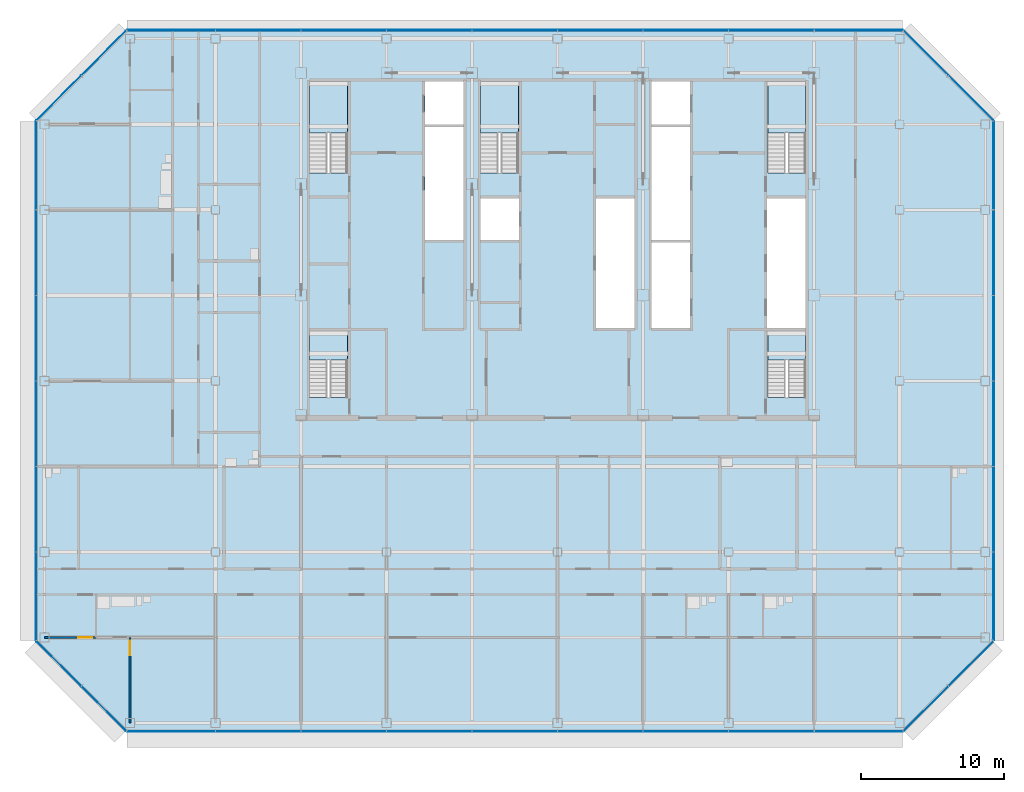
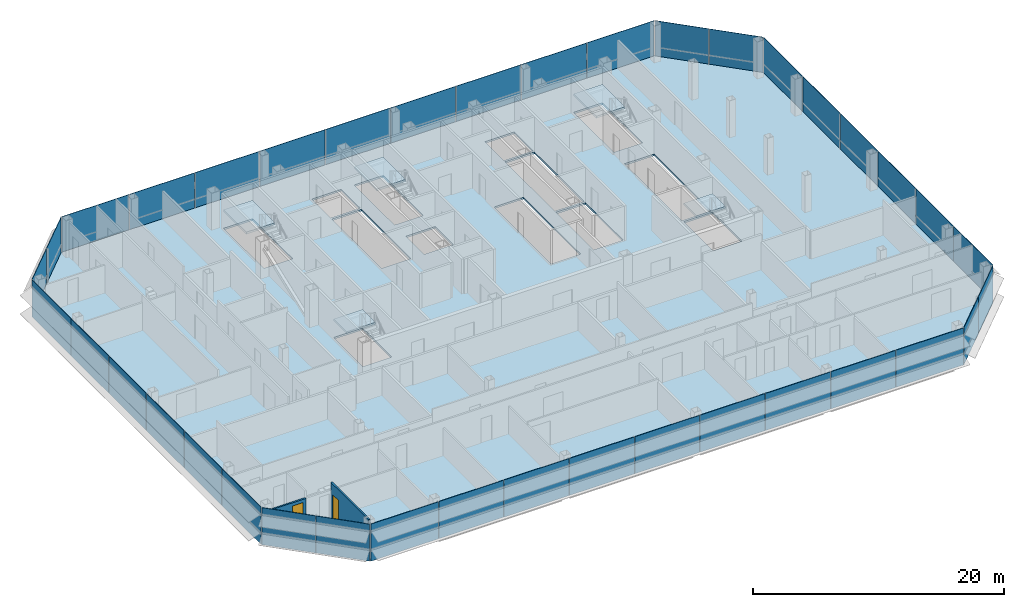
# One storey, part 19 of 27: 38 plates, 6 slabs, 2 doors, 2 walls, 2 openings, 13 elements without a shape of their own.
"""IFC4 building model written with IfcOpenShell, lengths in metres."""

from ifc_helpers import new_model, si_unit, direction, frame, frame_2d, origin, origin_2d, place, context, subcontext, project, spatial, polyline, rectangle, outline, extrude, material, layer, layer_set, type_object, element, fill, aggregate, save


model = new_model("IFC4")

# Units and contexts
model_context = context("Model", 3, precision=1e-05, world=origin(), true_north=direction((0.0, 1.0)))
body_context = subcontext(model_context, "Body", "Model", "MODEL_VIEW")
ifc_project = project(units=[si_unit("LENGTHUNIT", "METRE"), si_unit("AREAUNIT", "SQUARE_METRE"), si_unit("VOLUMEUNIT", "CUBIC_METRE"), si_unit("PLANEANGLEUNIT", "RADIAN"), si_unit("MASSUNIT", "GRAM", prefix="KILO")], contexts=[model_context])

# Site, building, storey
site_placement = place(None, origin())
site = spatial("IfcSite", under=ifc_project, at=site_placement, CompositionType="ELEMENT")
building_placement = place(site_placement, origin())
building = spatial("IfcBuilding", under=site, at=building_placement, Name="Sorahane Residences", CompositionType="ELEMENT")
storey_placement = place(building_placement, frame((0.0, 0.0, 239.60009765625)))
storey = spatial("IfcBuildingStorey", under=building, at=storey_placement, Name="L56", CompositionType="ELEMENT", Elevation=239.60009765625)

# Slab
ifc_material_1 = material(Name="Concrete C35", Category="concrete")
ifc_layer_1 = layer(ifc_material_1, 0.179931640625)
ifc_layer_set_1 = layer_set([ifc_layer_1], Name="Composite floor slab 180 mm Concrete C35")
slab_type_1 = type_object("IfcSlabType", Name="Composite floor slab 180 mm Concrete C35", PredefinedType="FLOOR", material=ifc_layer_set_1)
slab_1_placement = place(storey_placement, frame((0.0, 0.0, -0.18017578125)))
element("IfcSlab", 1, at=slab_1_placement, inside=storey, type_object=slab_type_1, Name="Slab L56", PredefinedType="FLOOR", context=body_context, shape_type="SweptSolid", body=[
    extrude(outline(polyline([(-6.24853515625, -0.60009765625), (-12.60009765625, 5.75146484375), (-12.60009765625, 42.24853515625), (-6.24853515625, 48.60009765625), (48.24853515625, 48.60009765625), (54.60009765625, 42.24853515625), (54.60009765625, 5.75146484375), (48.24853515625, -0.60009765625), (-6.24853515625, -0.60009765625)]), holes=[polyline([(38.699951171875, 27.699951171875), (41.39990234375, 27.699951171875), (41.39990234375, 36.800048828125), (38.699951171875, 36.800048828125), (38.699951171875, 27.699951171875)]), polyline([(30.60009765625, 27.699951171875), (33.300048828125, 27.699951171875), (33.300048828125, 33.699951171875), (30.60009765625, 33.699951171875), (30.60009765625, 27.699951171875)]), polyline([(30.60009765625, 42.0), (33.300048828125, 42.0), (33.300048828125, 45.0), (30.60009765625, 45.0), (30.60009765625, 42.0)]), polyline([(14.699951171875, 42.0), (17.39990234375, 42.0), (17.39990234375, 45.0), (14.699951171875, 45.0), (14.699951171875, 42.0)]), polyline([(9.25, 38.60009765625), (9.25, 45.0), (6.60009765625, 45.0), (6.60009765625, 38.60009765625), (9.25, 38.60009765625)]), polyline([(41.39990234375, 38.60009765625), (41.39990234375, 45.0), (38.75, 45.0), (38.75, 38.60009765625), (41.39990234375, 38.60009765625)]), polyline([(21.25, 38.60009765625), (21.25, 45.0), (18.60009765625, 45.0), (18.60009765625, 38.60009765625), (21.25, 38.60009765625)]), polyline([(9.25, 22.85009765625), (9.25, 27.5), (6.60009765625, 27.5), (6.60009765625, 22.85009765625), (9.25, 22.85009765625)]), polyline([(41.39990234375, 22.85009765625), (41.39990234375, 27.5), (38.75, 27.5), (38.75, 22.85009765625), (41.39990234375, 22.85009765625)]), polyline([(14.699951171875, 33.89990234375), (17.39990234375, 33.89990234375), (17.39990234375, 41.800048828125), (14.699951171875, 41.800048828125), (14.699951171875, 33.89990234375)]), polyline([(30.60009765625, 33.89990234375), (33.300048828125, 33.89990234375), (33.300048828125, 41.800048828125), (30.60009765625, 41.800048828125), (30.60009765625, 33.89990234375)]), polyline([(18.60009765625, 33.89990234375), (21.300048828125, 33.89990234375), (21.300048828125, 36.800048828125), (18.60009765625, 36.800048828125), (18.60009765625, 33.89990234375)]), polyline([(26.699951171875, 27.699951171875), (29.39990234375, 27.699951171875), (29.39990234375, 36.800048828125), (26.699951171875, 36.800048828125), (26.699951171875, 27.699951171875)])]), origin(), (0.0, 0.0, 1.0), 0.18017578125),
])

# Curtain wall, plates
ifc_material_2 = material(Name="Dark low-e glass and black anodised aluminium", Category="aluminium")
curtain_wall_type_1 = type_object("IfcCurtainWallType", Name="Curtain wall CW-1 Typical unitised wall", PredefinedType="NOTDEFINED", material=ifc_material_2)
curtain_wall_1_placement = place(storey_placement, origin())
curtain_wall_1 = element("IfcCurtainWall", 2, at=curtain_wall_1_placement, inside=storey, type_object=curtain_wall_type_1, Name="CW-1 curtain wall L56 S1", PredefinedType="NOTDEFINED")
ifc_material_3 = material(Name="Dark low-e glass with black ceramic frit", Category="glass")
ifc_layer_2 = layer(ifc_material_3, 0.0400390625)
ifc_layer_set_2 = layer_set([ifc_layer_2], Name="Curtain wall glass panel dark low-e with black frit spandrel band")
plate_type = type_object("IfcPlateType", Name="Curtain wall glass panel dark low-e with black frit spandrel band", PredefinedType="CURTAIN_PANEL", material=ifc_layer_set_2)
plate_1_placement = place(storey_placement, frame((-3.11181640625, -0.60009765625, -0.18017578125), z_axis=(0.0, 0.0, 1.0), x_axis=(1.0, 0.0, 0.0)))
plate_1 = element("IfcPlate", 3, at=plate_1_placement, type_object=plate_type, Name="CW-1 glass panel L56 S1.1", PredefinedType="CURTAIN_PANEL", context=body_context, shape_type="SweptSolid", body=[
    extrude(rectangle(XDim=6.173583984375, YDim=0.0400390625, at=origin_2d()), origin(), (0.0, 0.0, 1.0), 3.60009765625),
])
plate_2_placement = place(storey_placement, frame((3.0, -0.60009765625, -0.18017578125), z_axis=(0.0, 0.0, 1.0), x_axis=(1.0, 0.0, 0.0)))
plate_2 = element("IfcPlate", 4, at=plate_2_placement, type_object=plate_type, Name="CW-1 glass panel L56 S1.2", PredefinedType="CURTAIN_PANEL", context=body_context, shape_type="SweptSolid", body=[
    extrude(rectangle(XDim=5.949951171875, YDim=0.0400390625, at=origin_2d()), origin(), (0.0, 0.0, 1.0), 3.60009765625),
])
plate_3_placement = place(storey_placement, frame((9.0, -0.60009765625, -0.18017578125), z_axis=(0.0, 0.0, 1.0), x_axis=(1.0, 0.0, 0.0)))
plate_3 = element("IfcPlate", 5, at=plate_3_placement, type_object=plate_type, Name="CW-1 glass panel L56 S1.3", PredefinedType="CURTAIN_PANEL", context=body_context, shape_type="SweptSolid", body=[
    extrude(rectangle(XDim=5.949951171875, YDim=0.0400390625, at=origin_2d()), origin(), (0.0, 0.0, 1.0), 3.60009765625),
])
plate_4_placement = place(storey_placement, frame((15.0, -0.60009765625, -0.18017578125), z_axis=(0.0, 0.0, 1.0), x_axis=(1.0, 0.0, 0.0)))
plate_4 = element("IfcPlate", 6, at=plate_4_placement, type_object=plate_type, Name="CW-1 glass panel L56 S1.4", PredefinedType="CURTAIN_PANEL", context=body_context, shape_type="SweptSolid", body=[
    extrude(rectangle(XDim=5.949951171875, YDim=0.0400390625, at=origin_2d()), origin(), (0.0, 0.0, 1.0), 3.60009765625),
])
plate_5_placement = place(storey_placement, frame((21.0, -0.60009765625, -0.18017578125), z_axis=(0.0, 0.0, 1.0), x_axis=(1.0, 0.0, 0.0)))
plate_5 = element("IfcPlate", 7, at=plate_5_placement, type_object=plate_type, Name="CW-1 glass panel L56 S1.5", PredefinedType="CURTAIN_PANEL", context=body_context, shape_type="SweptSolid", body=[
    extrude(rectangle(XDim=5.949951171875, YDim=0.0400390625, at=origin_2d()), origin(), (0.0, 0.0, 1.0), 3.60009765625),
])
plate_6_placement = place(storey_placement, frame((27.0, -0.60009765625, -0.18017578125), z_axis=(0.0, 0.0, 1.0), x_axis=(1.0, 0.0, 0.0)))
plate_6 = element("IfcPlate", 8, at=plate_6_placement, type_object=plate_type, Name="CW-1 glass panel L56 S1.6", PredefinedType="CURTAIN_PANEL", context=body_context, shape_type="SweptSolid", body=[
    extrude(rectangle(XDim=5.949951171875, YDim=0.0400390625, at=origin_2d()), origin(), (0.0, 0.0, 1.0), 3.60009765625),
])
plate_7_placement = place(storey_placement, frame((33.0, -0.60009765625, -0.18017578125), z_axis=(0.0, 0.0, 1.0), x_axis=(1.0, 0.0, 0.0)))
plate_7 = element("IfcPlate", 9, at=plate_7_placement, type_object=plate_type, Name="CW-1 glass panel L56 S1.7", PredefinedType="CURTAIN_PANEL", context=body_context, shape_type="SweptSolid", body=[
    extrude(rectangle(XDim=5.949951171875, YDim=0.0400390625, at=origin_2d()), origin(), (0.0, 0.0, 1.0), 3.60009765625),
])
plate_8_placement = place(storey_placement, frame((39.0, -0.60009765625, -0.18017578125), z_axis=(0.0, 0.0, 1.0), x_axis=(1.0, 0.0, 0.0)))
plate_8 = element("IfcPlate", 10, at=plate_8_placement, type_object=plate_type, Name="CW-1 glass panel L56 S1.8", PredefinedType="CURTAIN_PANEL", context=body_context, shape_type="SweptSolid", body=[
    extrude(rectangle(XDim=5.949951171875, YDim=0.0400390625, at=origin_2d()), origin(), (0.0, 0.0, 1.0), 3.60009765625),
])
plate_9_placement = place(storey_placement, frame((45.11181640625, -0.60009765625, -0.18017578125), z_axis=(0.0, 0.0, 1.0), x_axis=(1.0, 0.0, 0.0)))
plate_9 = element("IfcPlate", 11, at=plate_9_placement, type_object=plate_type, Name="CW-1 glass panel L56 S1.9", PredefinedType="CURTAIN_PANEL", context=body_context, shape_type="SweptSolid", body=[
    extrude(rectangle(XDim=6.173583984375, YDim=0.0400390625, at=origin_2d()), origin(), (0.0, 0.0, 1.0), 3.60009765625),
])
aggregate(curtain_wall_1, [plate_1, plate_2, plate_3, plate_4, plate_5, plate_6, plate_7, plate_8, plate_9])

ifc_material_4 = material(Name="Dark low-e glass and black anodised aluminium", Category="aluminium")
curtain_wall_type_2 = type_object("IfcCurtainWallType", Name="Curtain wall CW-2 Chamfer unitised wall", PredefinedType="NOTDEFINED", material=ifc_material_4)
curtain_wall_2_placement = place(storey_placement, origin())
curtain_wall_2 = element("IfcCurtainWall", 12, at=curtain_wall_2_placement, inside=storey, type_object=curtain_wall_type_2, Name="CW-2 curtain wall L56 SE1", PredefinedType="NOTDEFINED")
plate_10_placement = place(storey_placement, frame((49.84521484375, 0.996826171875, -0.18017578125), z_axis=(0.0, 0.0, 1.0), x_axis=(0.707106781187, 0.707106781187, 0.0)))
plate_10 = element("IfcPlate", 13, at=plate_10_placement, type_object=plate_type, Name="CW-2 glass panel L56 SE1.1", PredefinedType="CURTAIN_PANEL", context=body_context, shape_type="SweptSolid", body=[
    extrude(rectangle(XDim=4.416259765625, YDim=0.0400390625, at=origin_2d()), origin(), (0.0, 0.0, 1.0), 3.60009765625),
])
plate_11_placement = place(storey_placement, frame((53.003173828125, 4.15478515625, -0.18017578125), z_axis=(0.0, 0.0, 1.0), x_axis=(0.707106781187, 0.707106781187, 0.0)))
plate_11 = element("IfcPlate", 14, at=plate_11_placement, type_object=plate_type, Name="CW-2 glass panel L56 SE1.2", PredefinedType="CURTAIN_PANEL", context=body_context, shape_type="SweptSolid", body=[
    extrude(rectangle(XDim=4.416259765625, YDim=0.0400390625, at=origin_2d()), origin(), (0.0, 0.0, 1.0), 3.60009765625),
])
aggregate(curtain_wall_2, [plate_10, plate_11])

curtain_wall_3_placement = place(storey_placement, origin())
curtain_wall_3 = element("IfcCurtainWall", 15, at=curtain_wall_3_placement, inside=storey, type_object=curtain_wall_type_1, Name="CW-1 curtain wall L56 E1", PredefinedType="NOTDEFINED")
plate_12_placement = place(storey_placement, frame((54.60009765625, 8.88818359375, -0.18017578125), z_axis=(0.0, 0.0, 1.0), x_axis=(0.0, 1.0, 0.0)))
plate_12 = element("IfcPlate", 16, at=plate_12_placement, type_object=plate_type, Name="CW-1 glass panel L56 E1.1", PredefinedType="CURTAIN_PANEL", context=body_context, shape_type="SweptSolid", body=[
    extrude(rectangle(XDim=6.173583984375, YDim=0.0400390625, at=origin_2d()), origin(), (0.0, 0.0, 1.0), 3.60009765625),
])
plate_13_placement = place(storey_placement, frame((54.60009765625, 15.0, -0.18017578125), z_axis=(0.0, 0.0, 1.0), x_axis=(0.0, 1.0, 0.0)))
plate_13 = element("IfcPlate", 17, at=plate_13_placement, type_object=plate_type, Name="CW-1 glass panel L56 E1.2", PredefinedType="CURTAIN_PANEL", context=body_context, shape_type="SweptSolid", body=[
    extrude(rectangle(XDim=5.949951171875, YDim=0.0400390625, at=origin_2d()), origin(), (0.0, 0.0, 1.0), 3.60009765625),
])
plate_14_placement = place(storey_placement, frame((54.60009765625, 21.0, -0.18017578125), z_axis=(0.0, 0.0, 1.0), x_axis=(0.0, 1.0, 0.0)))
plate_14 = element("IfcPlate", 18, at=plate_14_placement, type_object=plate_type, Name="CW-1 glass panel L56 E1.3", PredefinedType="CURTAIN_PANEL", context=body_context, shape_type="SweptSolid", body=[
    extrude(rectangle(XDim=5.949951171875, YDim=0.0400390625, at=origin_2d()), origin(), (0.0, 0.0, 1.0), 3.60009765625),
])
plate_15_placement = place(storey_placement, frame((54.60009765625, 27.0, -0.18017578125), z_axis=(0.0, 0.0, 1.0), x_axis=(0.0, 1.0, 0.0)))
plate_15 = element("IfcPlate", 19, at=plate_15_placement, type_object=plate_type, Name="CW-1 glass panel L56 E1.4", PredefinedType="CURTAIN_PANEL", context=body_context, shape_type="SweptSolid", body=[
    extrude(rectangle(XDim=5.949951171875, YDim=0.0400390625, at=origin_2d()), origin(), (0.0, 0.0, 1.0), 3.60009765625),
])
plate_16_placement = place(storey_placement, frame((54.60009765625, 33.0, -0.18017578125), z_axis=(0.0, 0.0, 1.0), x_axis=(0.0, 1.0, 0.0)))
plate_16 = element("IfcPlate", 20, at=plate_16_placement, type_object=plate_type, Name="CW-1 glass panel L56 E1.5", PredefinedType="CURTAIN_PANEL", context=body_context, shape_type="SweptSolid", body=[
    extrude(rectangle(XDim=5.949951171875, YDim=0.0400390625, at=origin_2d()), origin(), (0.0, 0.0, 1.0), 3.60009765625),
])
plate_17_placement = place(storey_placement, frame((54.60009765625, 39.11181640625, -0.18017578125), z_axis=(0.0, 0.0, 1.0), x_axis=(0.0, 1.0, 0.0)))
plate_17 = element("IfcPlate", 21, at=plate_17_placement, type_object=plate_type, Name="CW-1 glass panel L56 E1.6", PredefinedType="CURTAIN_PANEL", context=body_context, shape_type="SweptSolid", body=[
    extrude(rectangle(XDim=6.173583984375, YDim=0.0400390625, at=origin_2d()), origin(), (0.0, 0.0, 1.0), 3.60009765625),
])
aggregate(curtain_wall_3, [plate_12, plate_13, plate_14, plate_15, plate_16, plate_17])

curtain_wall_4_placement = place(storey_placement, origin())
curtain_wall_4 = element("IfcCurtainWall", 22, at=curtain_wall_4_placement, inside=storey, type_object=curtain_wall_type_2, Name="CW-2 curtain wall L56 NE1", PredefinedType="NOTDEFINED")
plate_18_placement = place(storey_placement, frame((53.003173828125, 43.84521484375, -0.18017578125), z_axis=(0.0, 0.0, 1.0), x_axis=(-0.707106781187, 0.707106781187, 0.0)))
plate_18 = element("IfcPlate", 23, at=plate_18_placement, type_object=plate_type, Name="CW-2 glass panel L56 NE1.1", PredefinedType="CURTAIN_PANEL", context=body_context, shape_type="SweptSolid", body=[
    extrude(rectangle(XDim=4.416259765625, YDim=0.0400390625, at=origin_2d()), origin(), (0.0, 0.0, 1.0), 3.60009765625),
])
plate_19_placement = place(storey_placement, frame((49.84521484375, 47.003173828125, -0.18017578125), z_axis=(0.0, 0.0, 1.0), x_axis=(-0.707106781187, 0.707106781187, 0.0)))
plate_19 = element("IfcPlate", 24, at=plate_19_placement, type_object=plate_type, Name="CW-2 glass panel L56 NE1.2", PredefinedType="CURTAIN_PANEL", context=body_context, shape_type="SweptSolid", body=[
    extrude(rectangle(XDim=4.416259765625, YDim=0.0400390625, at=origin_2d()), origin(), (0.0, 0.0, 1.0), 3.60009765625),
])
aggregate(curtain_wall_4, [plate_18, plate_19])

curtain_wall_5_placement = place(storey_placement, origin())
curtain_wall_5 = element("IfcCurtainWall", 25, at=curtain_wall_5_placement, inside=storey, type_object=curtain_wall_type_1, Name="CW-1 curtain wall L56 N1", PredefinedType="NOTDEFINED")
plate_20_placement = place(storey_placement, frame((45.11181640625, 48.60009765625, -0.18017578125), z_axis=(0.0, 0.0, 1.0), x_axis=(-1.0, 0.0, 0.0)))
plate_20 = element("IfcPlate", 26, at=plate_20_placement, type_object=plate_type, Name="CW-1 glass panel L56 N1.1", PredefinedType="CURTAIN_PANEL", context=body_context, shape_type="SweptSolid", body=[
    extrude(rectangle(XDim=6.173583984375, YDim=0.0400390625, at=origin_2d()), origin(), (0.0, 0.0, 1.0), 3.60009765625),
])
plate_21_placement = place(storey_placement, frame((39.0, 48.60009765625, -0.18017578125), z_axis=(0.0, 0.0, 1.0), x_axis=(-1.0, 0.0, 0.0)))
plate_21 = element("IfcPlate", 27, at=plate_21_placement, type_object=plate_type, Name="CW-1 glass panel L56 N1.2", PredefinedType="CURTAIN_PANEL", context=body_context, shape_type="SweptSolid", body=[
    extrude(rectangle(XDim=5.949951171875, YDim=0.0400390625, at=origin_2d()), origin(), (0.0, 0.0, 1.0), 3.60009765625),
])
plate_22_placement = place(storey_placement, frame((33.0, 48.60009765625, -0.18017578125), z_axis=(0.0, 0.0, 1.0), x_axis=(-1.0, 0.0, 0.0)))
plate_22 = element("IfcPlate", 28, at=plate_22_placement, type_object=plate_type, Name="CW-1 glass panel L56 N1.3", PredefinedType="CURTAIN_PANEL", context=body_context, shape_type="SweptSolid", body=[
    extrude(rectangle(XDim=5.949951171875, YDim=0.0400390625, at=origin_2d()), origin(), (0.0, 0.0, 1.0), 3.60009765625),
])
plate_23_placement = place(storey_placement, frame((27.0, 48.60009765625, -0.18017578125), z_axis=(0.0, 0.0, 1.0), x_axis=(-1.0, 0.0, 0.0)))
plate_23 = element("IfcPlate", 29, at=plate_23_placement, type_object=plate_type, Name="CW-1 glass panel L56 N1.4", PredefinedType="CURTAIN_PANEL", context=body_context, shape_type="SweptSolid", body=[
    extrude(rectangle(XDim=5.949951171875, YDim=0.0400390625, at=origin_2d()), origin(), (0.0, 0.0, 1.0), 3.60009765625),
])
plate_24_placement = place(storey_placement, frame((21.0, 48.60009765625, -0.18017578125), z_axis=(0.0, 0.0, 1.0), x_axis=(-1.0, 0.0, 0.0)))
plate_24 = element("IfcPlate", 30, at=plate_24_placement, type_object=plate_type, Name="CW-1 glass panel L56 N1.5", PredefinedType="CURTAIN_PANEL", context=body_context, shape_type="SweptSolid", body=[
    extrude(rectangle(XDim=5.949951171875, YDim=0.0400390625, at=origin_2d()), origin(), (0.0, 0.0, 1.0), 3.60009765625),
])
plate_25_placement = place(storey_placement, frame((15.0, 48.60009765625, -0.18017578125), z_axis=(0.0, 0.0, 1.0), x_axis=(-1.0, 0.0, 0.0)))
plate_25 = element("IfcPlate", 31, at=plate_25_placement, type_object=plate_type, Name="CW-1 glass panel L56 N1.6", PredefinedType="CURTAIN_PANEL", context=body_context, shape_type="SweptSolid", body=[
    extrude(rectangle(XDim=5.949951171875, YDim=0.0400390625, at=origin_2d()), origin(), (0.0, 0.0, 1.0), 3.60009765625),
])
plate_26_placement = place(storey_placement, frame((9.0, 48.60009765625, -0.18017578125), z_axis=(0.0, 0.0, 1.0), x_axis=(-1.0, 0.0, 0.0)))
plate_26 = element("IfcPlate", 32, at=plate_26_placement, type_object=plate_type, Name="CW-1 glass panel L56 N1.7", PredefinedType="CURTAIN_PANEL", context=body_context, shape_type="SweptSolid", body=[
    extrude(rectangle(XDim=5.949951171875, YDim=0.0400390625, at=origin_2d()), origin(), (0.0, 0.0, 1.0), 3.60009765625),
])
plate_27_placement = place(storey_placement, frame((3.0, 48.60009765625, -0.18017578125), z_axis=(0.0, 0.0, 1.0), x_axis=(-1.0, 0.0, 0.0)))
plate_27 = element("IfcPlate", 33, at=plate_27_placement, type_object=plate_type, Name="CW-1 glass panel L56 N1.8", PredefinedType="CURTAIN_PANEL", context=body_context, shape_type="SweptSolid", body=[
    extrude(rectangle(XDim=5.949951171875, YDim=0.0400390625, at=origin_2d()), origin(), (0.0, 0.0, 1.0), 3.60009765625),
])
plate_28_placement = place(storey_placement, frame((-3.11181640625, 48.60009765625, -0.18017578125), z_axis=(0.0, 0.0, 1.0), x_axis=(-1.0, 0.0, 0.0)))
plate_28 = element("IfcPlate", 34, at=plate_28_placement, type_object=plate_type, Name="CW-1 glass panel L56 N1.9", PredefinedType="CURTAIN_PANEL", context=body_context, shape_type="SweptSolid", body=[
    extrude(rectangle(XDim=6.173583984375, YDim=0.0400390625, at=origin_2d()), origin(), (0.0, 0.0, 1.0), 3.60009765625),
])
aggregate(curtain_wall_5, [plate_20, plate_21, plate_22, plate_23, plate_24, plate_25, plate_26, plate_27, plate_28])

curtain_wall_6_placement = place(storey_placement, origin())
curtain_wall_6 = element("IfcCurtainWall", 35, at=curtain_wall_6_placement, inside=storey, type_object=curtain_wall_type_2, Name="CW-2 curtain wall L56 NW1", PredefinedType="NOTDEFINED")
plate_29_placement = place(storey_placement, frame((-7.84521484375, 47.003173828125, -0.18017578125), z_axis=(0.0, 0.0, 1.0), x_axis=(-0.707106781187, -0.707106781187, 0.0)))
plate_29 = element("IfcPlate", 36, at=plate_29_placement, type_object=plate_type, Name="CW-2 glass panel L56 NW1.1", PredefinedType="CURTAIN_PANEL", context=body_context, shape_type="SweptSolid", body=[
    extrude(rectangle(XDim=4.416259765625, YDim=0.0400390625, at=origin_2d()), origin(), (0.0, 0.0, 1.0), 3.60009765625),
])
plate_30_placement = place(storey_placement, frame((-11.003173828125, 43.84521484375, -0.18017578125), z_axis=(0.0, 0.0, 1.0), x_axis=(-0.707106781187, -0.707106781187, 0.0)))
plate_30 = element("IfcPlate", 37, at=plate_30_placement, type_object=plate_type, Name="CW-2 glass panel L56 NW1.2", PredefinedType="CURTAIN_PANEL", context=body_context, shape_type="SweptSolid", body=[
    extrude(rectangle(XDim=4.416259765625, YDim=0.0400390625, at=origin_2d()), origin(), (0.0, 0.0, 1.0), 3.60009765625),
])
aggregate(curtain_wall_6, [plate_29, plate_30])

curtain_wall_7_placement = place(storey_placement, origin())
curtain_wall_7 = element("IfcCurtainWall", 38, at=curtain_wall_7_placement, inside=storey, type_object=curtain_wall_type_1, Name="CW-1 curtain wall L56 W1", PredefinedType="NOTDEFINED")
plate_31_placement = place(storey_placement, frame((-12.60009765625, 39.11181640625, -0.18017578125), z_axis=(0.0, 0.0, 1.0), x_axis=(0.0, -1.0, 0.0)))
plate_31 = element("IfcPlate", 39, at=plate_31_placement, type_object=plate_type, Name="CW-1 glass panel L56 W1.1", PredefinedType="CURTAIN_PANEL", context=body_context, shape_type="SweptSolid", body=[
    extrude(rectangle(XDim=6.173583984375, YDim=0.0400390625, at=origin_2d()), origin(), (0.0, 0.0, 1.0), 3.60009765625),
])
plate_32_placement = place(storey_placement, frame((-12.60009765625, 33.0, -0.18017578125), z_axis=(0.0, 0.0, 1.0), x_axis=(0.0, -1.0, 0.0)))
plate_32 = element("IfcPlate", 40, at=plate_32_placement, type_object=plate_type, Name="CW-1 glass panel L56 W1.2", PredefinedType="CURTAIN_PANEL", context=body_context, shape_type="SweptSolid", body=[
    extrude(rectangle(XDim=5.949951171875, YDim=0.0400390625, at=origin_2d()), origin(), (0.0, 0.0, 1.0), 3.60009765625),
])
plate_33_placement = place(storey_placement, frame((-12.60009765625, 27.0, -0.18017578125), z_axis=(0.0, 0.0, 1.0), x_axis=(0.0, -1.0, 0.0)))
plate_33 = element("IfcPlate", 41, at=plate_33_placement, type_object=plate_type, Name="CW-1 glass panel L56 W1.3", PredefinedType="CURTAIN_PANEL", context=body_context, shape_type="SweptSolid", body=[
    extrude(rectangle(XDim=5.949951171875, YDim=0.0400390625, at=origin_2d()), origin(), (0.0, 0.0, 1.0), 3.60009765625),
])
plate_34_placement = place(storey_placement, frame((-12.60009765625, 21.0, -0.18017578125), z_axis=(0.0, 0.0, 1.0), x_axis=(0.0, -1.0, 0.0)))
plate_34 = element("IfcPlate", 42, at=plate_34_placement, type_object=plate_type, Name="CW-1 glass panel L56 W1.4", PredefinedType="CURTAIN_PANEL", context=body_context, shape_type="SweptSolid", body=[
    extrude(rectangle(XDim=5.949951171875, YDim=0.0400390625, at=origin_2d()), origin(), (0.0, 0.0, 1.0), 3.60009765625),
])
plate_35_placement = place(storey_placement, frame((-12.60009765625, 15.0, -0.18017578125), z_axis=(0.0, 0.0, 1.0), x_axis=(0.0, -1.0, 0.0)))
plate_35 = element("IfcPlate", 43, at=plate_35_placement, type_object=plate_type, Name="CW-1 glass panel L56 W1.5", PredefinedType="CURTAIN_PANEL", context=body_context, shape_type="SweptSolid", body=[
    extrude(rectangle(XDim=5.949951171875, YDim=0.0400390625, at=origin_2d()), origin(), (0.0, 0.0, 1.0), 3.60009765625),
])
plate_36_placement = place(storey_placement, frame((-12.60009765625, 8.88818359375, -0.18017578125), z_axis=(0.0, 0.0, 1.0), x_axis=(0.0, -1.0, 0.0)))
plate_36 = element("IfcPlate", 44, at=plate_36_placement, type_object=plate_type, Name="CW-1 glass panel L56 W1.6", PredefinedType="CURTAIN_PANEL", context=body_context, shape_type="SweptSolid", body=[
    extrude(rectangle(XDim=6.173583984375, YDim=0.0400390625, at=origin_2d()), origin(), (0.0, 0.0, 1.0), 3.60009765625),
])
aggregate(curtain_wall_7, [plate_31, plate_32, plate_33, plate_34, plate_35, plate_36])

curtain_wall_8_placement = place(storey_placement, origin())
curtain_wall_8 = element("IfcCurtainWall", 45, at=curtain_wall_8_placement, inside=storey, type_object=curtain_wall_type_2, Name="CW-2 curtain wall L56 SW1", PredefinedType="NOTDEFINED")
plate_37_placement = place(storey_placement, frame((-11.003173828125, 4.15478515625, -0.18017578125), z_axis=(0.0, 0.0, 1.0), x_axis=(0.707106781187, -0.707106781187, 0.0)))
plate_37 = element("IfcPlate", 46, at=plate_37_placement, type_object=plate_type, Name="CW-2 glass panel L56 SW1.1", PredefinedType="CURTAIN_PANEL", context=body_context, shape_type="SweptSolid", body=[
    extrude(rectangle(XDim=4.416259765625, YDim=0.0400390625, at=origin_2d()), origin(), (0.0, 0.0, 1.0), 3.60009765625),
])
plate_38_placement = place(storey_placement, frame((-7.84521484375, 0.996826171875, -0.18017578125), z_axis=(0.0, 0.0, 1.0), x_axis=(0.707106781187, -0.707106781187, 0.0)))
plate_38 = element("IfcPlate", 47, at=plate_38_placement, type_object=plate_type, Name="CW-2 glass panel L56 SW1.2", PredefinedType="CURTAIN_PANEL", context=body_context, shape_type="SweptSolid", body=[
    extrude(rectangle(XDim=4.416259765625, YDim=0.0400390625, at=origin_2d()), origin(), (0.0, 0.0, 1.0), 3.60009765625),
])
aggregate(curtain_wall_8, [plate_37, plate_38])

# Stair, slab
ifc_material_5 = material(Name="Concrete C40", Category="concrete")
stair_type = type_object("IfcStairType", Name="Dog-leg stair 1250 Concrete C40", PredefinedType="HALF_TURN_STAIR", material=ifc_material_5)
stair_1_placement = place(storey_placement, origin())
stair_1 = element("IfcStair", 48, at=stair_1_placement, inside=storey, type_object=stair_type, Name="L56 Stair S1", PredefinedType="HALF_TURN_STAIR")
ifc_material_6 = material(Name="Concrete C40", Category="concrete")
ifc_layer_3 = layer(ifc_material_6, 0.199951171875)
ifc_layer_set_3 = layer_set([ifc_layer_3], Name="Stair landing 200 Concrete C40")
slab_type_2 = type_object("IfcSlabType", Name="Stair landing 200 Concrete C40", PredefinedType="LANDING", material=ifc_layer_set_3)
slab_2_placement = place(storey_placement, frame((0.0, 0.0, 1.599853515625)))
slab_2 = element("IfcSlab", 49, at=slab_2_placement, type_object=slab_type_2, Name="S1 landing 1", PredefinedType="LANDING", context=body_context, shape_type="SweptSolid", body=[
    extrude(outline(polyline([(9.25, 41.39990234375), (9.25, 45.0), (6.60009765625, 45.0), (6.60009765625, 41.39990234375), (9.25, 41.39990234375)])), origin(), (0.0, 0.0, 1.0), 0.199951171875),
])
aggregate(stair_1, [slab_2])

stair_2_placement = place(storey_placement, origin())
stair_2 = element("IfcStair", 50, at=stair_2_placement, inside=storey, type_object=stair_type, Name="L56 Stair S2", PredefinedType="HALF_TURN_STAIR")
slab_3_placement = place(storey_placement, frame((0.0, 0.0, 1.599853515625)))
slab_3 = element("IfcSlab", 51, at=slab_3_placement, type_object=slab_type_2, Name="S2 landing 1", PredefinedType="LANDING", context=body_context, shape_type="SweptSolid", body=[
    extrude(outline(polyline([(41.39990234375, 41.39990234375), (41.39990234375, 45.0), (38.75, 45.0), (38.75, 41.39990234375), (41.39990234375, 41.39990234375)])), origin(), (0.0, 0.0, 1.0), 0.199951171875),
])
aggregate(stair_2, [slab_3])

stair_3_placement = place(storey_placement, origin())
stair_3 = element("IfcStair", 52, at=stair_3_placement, inside=storey, type_object=stair_type, Name="L56 Stair S3", PredefinedType="HALF_TURN_STAIR")
slab_4_placement = place(storey_placement, frame((0.0, 0.0, 1.599853515625)))
slab_4 = element("IfcSlab", 53, at=slab_4_placement, type_object=slab_type_2, Name="S3 landing 1", PredefinedType="LANDING", context=body_context, shape_type="SweptSolid", body=[
    extrude(outline(polyline([(21.25, 41.39990234375), (21.25, 45.0), (18.60009765625, 45.0), (18.60009765625, 41.39990234375), (21.25, 41.39990234375)])), origin(), (0.0, 0.0, 1.0), 0.199951171875),
])
aggregate(stair_3, [slab_4])

stair_4_placement = place(storey_placement, origin())
stair_4 = element("IfcStair", 54, at=stair_4_placement, inside=storey, type_object=stair_type, Name="L56 Stair S4", PredefinedType="HALF_TURN_STAIR")
slab_5_placement = place(storey_placement, frame((0.0, 0.0, 1.599853515625)))
slab_5 = element("IfcSlab", 55, at=slab_5_placement, type_object=slab_type_2, Name="S4 landing 1", PredefinedType="LANDING", context=body_context, shape_type="SweptSolid", body=[
    extrude(outline(polyline([(9.25, 25.449951171875), (9.25, 27.5), (6.60009765625, 27.5), (6.60009765625, 25.449951171875), (9.25, 25.449951171875)])), origin(), (0.0, 0.0, 1.0), 0.199951171875),
])
aggregate(stair_4, [slab_5])

stair_5_placement = place(storey_placement, origin())
stair_5 = element("IfcStair", 56, at=stair_5_placement, inside=storey, type_object=stair_type, Name="L56 Stair S5", PredefinedType="HALF_TURN_STAIR")
slab_6_placement = place(storey_placement, frame((0.0, 0.0, 1.599853515625)))
slab_6 = element("IfcSlab", 57, at=slab_6_placement, type_object=slab_type_2, Name="S5 landing 1", PredefinedType="LANDING", context=body_context, shape_type="SweptSolid", body=[
    extrude(outline(polyline([(41.39990234375, 25.449951171875), (41.39990234375, 27.5), (38.75, 27.5), (38.75, 25.449951171875), (41.39990234375, 25.449951171875)])), origin(), (0.0, 0.0, 1.0), 0.199951171875),
])
aggregate(stair_5, [slab_6])

# Wall, opening, door
ifc_material_7 = material(Name="Gypsum board partition on steel studs", Category="steel")
ifc_layer_4 = layer(ifc_material_7, 0.14990234375)
ifc_layer_set_4 = layer_set([ifc_layer_4], Name="Partition 150 EI 90")
wall_type = type_object("IfcWallType", Name="Partition 150 EI 90", PredefinedType="PARTITIONING", material=ifc_layer_set_4)
wall_1_placement = place(storey_placement, frame((-6.0, 0.0, 0.0), z_axis=(0.0, 0.0, 1.0), x_axis=(0.0, 1.0, 0.0)))
wall_1 = element("IfcWall", 58, at=wall_1_placement, inside=storey, type_object=wall_type, Name="L56 partition", PredefinedType="PARTITIONING", context=body_context, shape_type="SweptSolid", body=[
    extrude(rectangle(XDim=6.0, YDim=0.14990234375, at=frame_2d((3.0, 0.0))), origin(), (0.0, 0.0, 1.0), 3.419921875),
])
opening_1_placement = place(wall_1_placement, frame((4.75, 0.0, 0.0)))
opening_1 = element("IfcOpeningElement", 59, at=opening_1_placement, cuts=wall_1, Name="Opening L56-11", PredefinedType="OPENING", context=body_context, shape_type="SweptSolid", body=[
    extrude(rectangle(XDim=1.0, YDim=2.39990234375, at=frame_2d((0.5, 1.199951171875))), frame((0.0, 0.0849609375, 0.0), z_axis=(0.0, -1.0, 0.0), x_axis=(1.0, 0.0, 0.0)), (0.0, 0.0, 1.0), 0.169921875),
])
ifc_material_8 = material(Name="Timber veneered fire door", Category="wood")
door_type = type_object("IfcDoorType", Name="Room door 1000x2400 FD30", OperationType="NOTDEFINED", PredefinedType="DOOR", material=ifc_material_8)
door_1_placement = place(opening_1_placement, frame((1.0, 0.0, 0.0), z_axis=(0.0, 0.0, 1.0), x_axis=(-1.0, 0.0, 0.0)))
door_1 = element("IfcDoor", 60, at=door_1_placement, inside=storey, type_object=door_type, Name="Room door L56-11", OperationType="SINGLE_SWING_LEFT", OverallHeight=2.39990234375, OverallWidth=1.0, PredefinedType="DOOR", context=body_context, shape_type="SweptSolid", body=[
    extrude(rectangle(XDim=1.0, YDim=2.39990234375, at=frame_2d((0.5, 1.199951171875))), frame((0.0, 0.02490234375, 0.0), z_axis=(0.0, -1.0, 0.0), x_axis=(1.0, 0.0, 0.0)), (0.0, 0.0, 1.0), 0.050048828125),
])
fill(opening_1, door_1)

wall_2_placement = place(storey_placement, frame((-12.0, 6.0, 0.0), z_axis=(0.0, 0.0, 1.0), x_axis=(1.0, 0.0, 0.0)))
wall_2 = element("IfcWall", 61, at=wall_2_placement, inside=storey, type_object=wall_type, Name="L56 partition", PredefinedType="PARTITIONING", context=body_context, shape_type="SweptSolid", body=[
    extrude(rectangle(XDim=3.60009765625, YDim=0.14990234375, at=frame_2d((1.800048828125, 0.0))), origin(), (0.0, 0.0, 1.0), 2.719970703125),
])
opening_2_placement = place(wall_2_placement, frame((2.35009765625, 0.0, 0.0)))
opening_2 = element("IfcOpeningElement", 62, at=opening_2_placement, cuts=wall_2, Name="Opening L56-10", PredefinedType="OPENING", context=body_context, shape_type="SweptSolid", body=[
    extrude(rectangle(XDim=1.0, YDim=2.39990234375, at=frame_2d((0.5, 1.199951171875))), frame((0.0, 0.0849609375, 0.0), z_axis=(0.0, -1.0, 0.0), x_axis=(1.0, 0.0, 0.0)), (0.0, 0.0, 1.0), 0.169921875),
])
door_2_placement = place(opening_2_placement, frame((1.0, 0.0, 0.0), z_axis=(0.0, 0.0, 1.0), x_axis=(-1.0, 0.0, 0.0)))
door_2 = element("IfcDoor", 63, at=door_2_placement, inside=storey, type_object=door_type, Name="Room door L56-10", OperationType="SINGLE_SWING_RIGHT", OverallHeight=2.39990234375, OverallWidth=1.0, PredefinedType="DOOR", context=body_context, shape_type="SweptSolid", body=[
    extrude(rectangle(XDim=1.0, YDim=2.39990234375, at=frame_2d((0.5, 1.199951171875))), frame((0.0, 0.02490234375, 0.0), z_axis=(0.0, -1.0, 0.0), x_axis=(1.0, 0.0, 0.0)), (0.0, 0.0, 1.0), 0.050048828125),
])
fill(opening_2, door_2)

save(model, "model.ifc")
